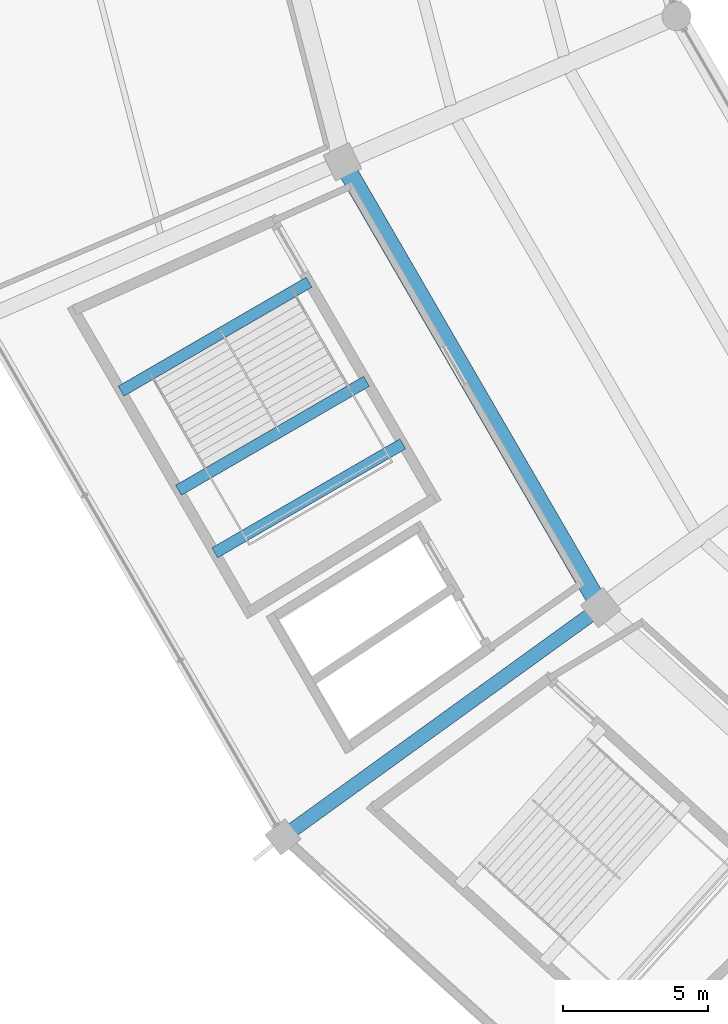
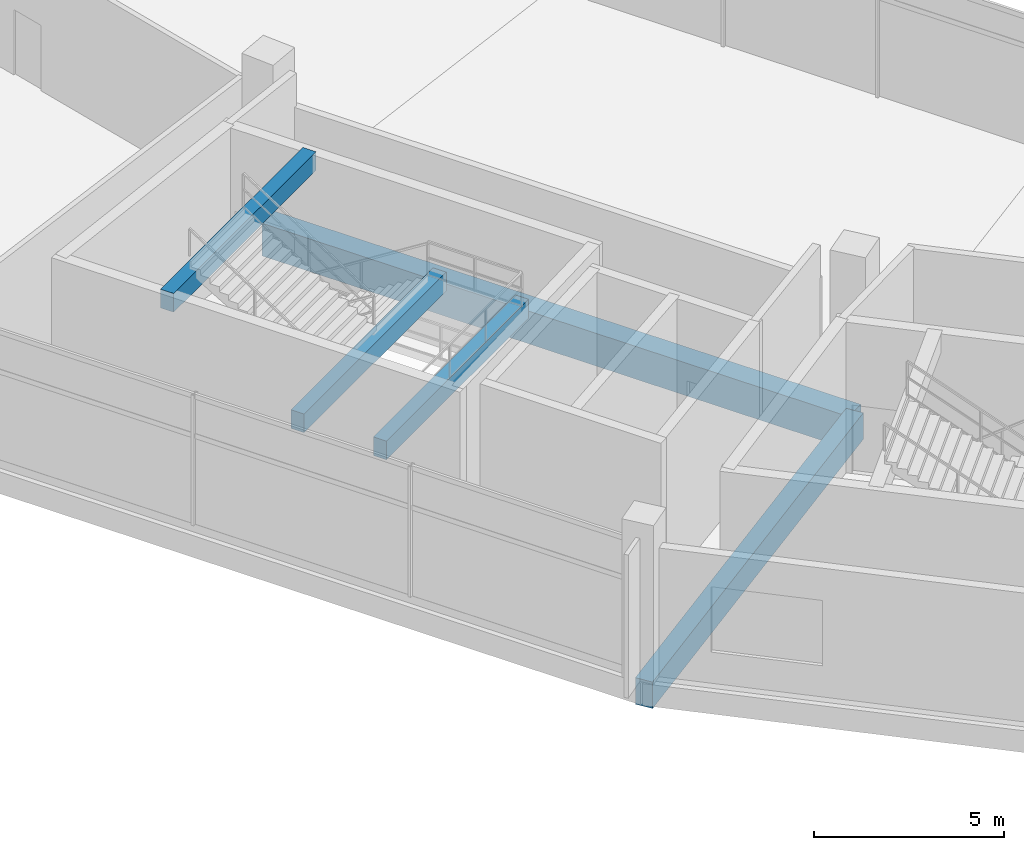
# One storey, part 7 of 184: 5 beams.
"""IFC4 building model written with IfcOpenShell, lengths in metres."""

from ifc_helpers import new_model, si_unit, direction, frame, origin, origin_2d, place, context, subcontext, project, spatial, rectangle, extrude, material, material_profile, profile_set, type_object, element, save


model = new_model("IFC4")

# Units and contexts
model_context = context("Model", 3, precision=1e-05, world=origin(), true_north=direction((0.0, 1.0)))
body_context = subcontext(model_context, "Body", "Model", "MODEL_VIEW")
ifc_project = project(units=[si_unit("LENGTHUNIT", "METRE"), si_unit("AREAUNIT", "SQUARE_METRE"), si_unit("VOLUMEUNIT", "CUBIC_METRE"), si_unit("PLANEANGLEUNIT", "RADIAN"), si_unit("MASSUNIT", "GRAM", prefix="KILO")], contexts=[model_context])

# Site, building, storey
site_placement = place(None, origin())
site = spatial("IfcSite", under=ifc_project, at=site_placement, CompositionType="ELEMENT")
building_placement = place(site_placement, origin())
building = spatial("IfcBuilding", under=site, at=building_placement, Name="Kazemori Nagisa Stadium", CompositionType="ELEMENT")
storey_placement = place(building_placement, frame((0.0, 0.0, 10.5400390625)))
storey = spatial("IfcBuildingStorey", under=building, at=storey_placement, Name="L02", CompositionType="ELEMENT", Elevation=10.5400390625)

# Beams
ifc_material = material(Name="Concrete C40/50 (Fc42)", Category="concrete")
ifc_material_profile_1 = material_profile(ifc_material, rectangle(XDim=0.39990234375, YDim=0.60009765625, at=origin_2d()), Name="RC-BM-400x600")
ifc_profile_set_1 = profile_set([ifc_material_profile_1], Name="Concrete C40/50 (Fc42)")
beam_type_1 = type_object("IfcBeamType", Name="Beam_BG-LND400X600", PredefinedType="BEAM", material=ifc_profile_set_1)
for number, where, z_axis, x_axis, name in (
    (1, (47.39453125, 61.0888671875, 2.050048828125), (-0.865094639125, -0.501608677514, 0.0), (0.501608677514, -0.865094639125, 0.0), "Core stair mid-landing girder ST09-L02-1"),
    (2, (48.648681640625, 58.92626953125, 2.050048828125), (-0.865080539547, -0.50163299343, 0.0), (0.50163299343, -0.865080539547, 0.0), "Core stair mid-landing girder ST09-L02-2"),
):
    element("IfcBeam", number, at=place(storey_placement, frame(where, z_axis=z_axis, x_axis=x_axis)), inside=storey, type_object=beam_type_1, Name=name, PredefinedType="BEAM", context=body_context, shape_type="SweptSolid", body=[
        extrude(rectangle(XDim=0.39990234375, YDim=0.60009765625, at=origin_2d()), origin(), (0.0, 0.0, 1.0), 7.513916015625),
    ])
beam_1_placement = place(storey_placement, frame((45.408203125, 64.5146484375, 4.5400390625), z_axis=(-0.865086463473, -0.50162277731, 0.0), x_axis=(0.50162277731, -0.865086463473, 0.0)))
element("IfcBeam", 3, at=beam_1_placement, inside=storey, type_object=beam_type_1, Name="Core stair arrival header girder ST09-L02", PredefinedType="BEAM", context=body_context, shape_type="SweptSolid", body=[
    extrude(rectangle(XDim=0.39990234375, YDim=0.60009765625, at=origin_2d()), origin(), (0.0, 0.0, 1.0), 7.513671875),
])
ifc_material_profile_2 = material_profile(ifc_material, rectangle(XDim=0.5, YDim=0.85009765625, at=origin_2d()), Name="RC-BM-500x850")
ifc_profile_set_2 = profile_set([ifc_material_profile_2], Name="Concrete C40/50 (Fc42)")
beam_type_2 = type_object("IfcBeamType", Name="Beam_BG-RC500X850", PredefinedType="BEAM", material=ifc_profile_set_2)
beam_2_placement = place(storey_placement, frame((55.493896484375, 53.265869140625, -0.68505859375), z_axis=(-0.810787509935, -0.585340596349, 0.0), x_axis=(0.585340596349, -0.810787509935, 0.0)))
element("IfcBeam", 4, at=beam_2_placement, inside=storey, type_object=beam_type_2, Name="Radial girder BG-RC500X850 L02 R2-R3-18", PredefinedType="BEAM", context=body_context, shape_type="SweptSolid", body=[
    extrude(rectangle(XDim=0.5, YDim=0.85009765625, at=origin_2d()), origin(), (0.0, 0.0, 1.0), 13.5537109375),
])
ifc_material_profile_3 = material_profile(ifc_material, rectangle(XDim=0.64990234375, YDim=1.050048828125, at=origin_2d()), Name="RC-BM-650x1050")
ifc_profile_set_3 = profile_set([ifc_material_profile_3], Name="Concrete C40/50 (Fc42)")
beam_type_3 = type_object("IfcBeamType", Name="Beam_BG-RC650X1050", PredefinedType="BEAM", material=ifc_profile_set_3)
beam_3_placement = place(storey_placement, frame((46.55908203125, 68.67529296875, -0.78515625), z_axis=(0.501606704589, -0.865095783085, 0.0), x_axis=(0.865095783085, 0.501606704589, 0.0)))
element("IfcBeam", 5, at=beam_3_placement, inside=storey, type_object=beam_type_3, Name="Ring girder BG-RC650X1050 L02 R2-17", PredefinedType="BEAM", context=body_context, shape_type="SweptSolid", body=[
    extrude(rectangle(XDim=0.64990234375, YDim=1.050048828125, at=origin_2d()), origin(), (0.0, 0.0, 1.0), 17.8125),
])

save(model, "model.ifc")
